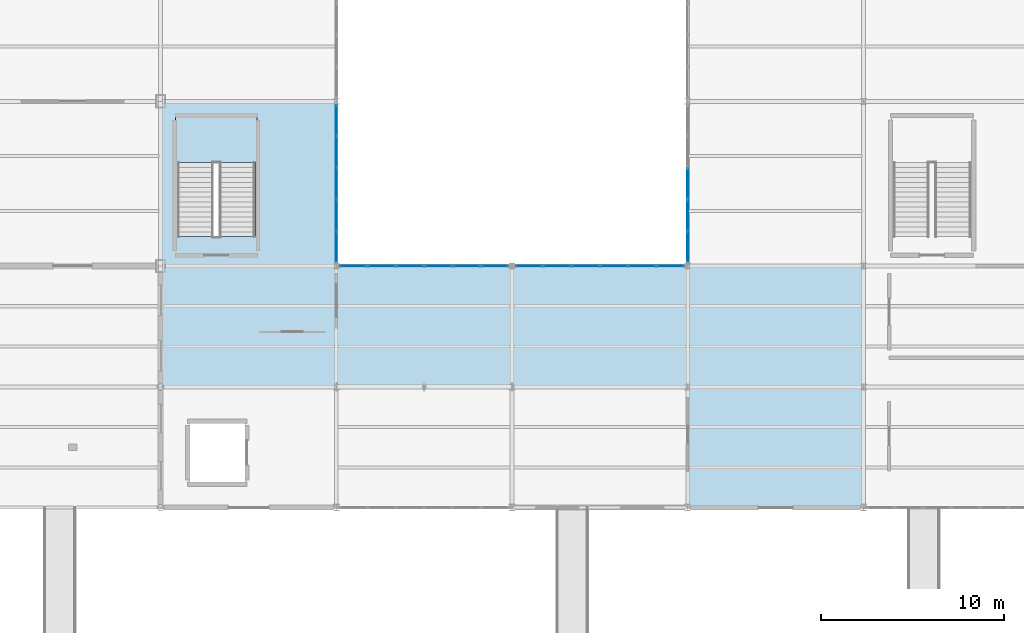
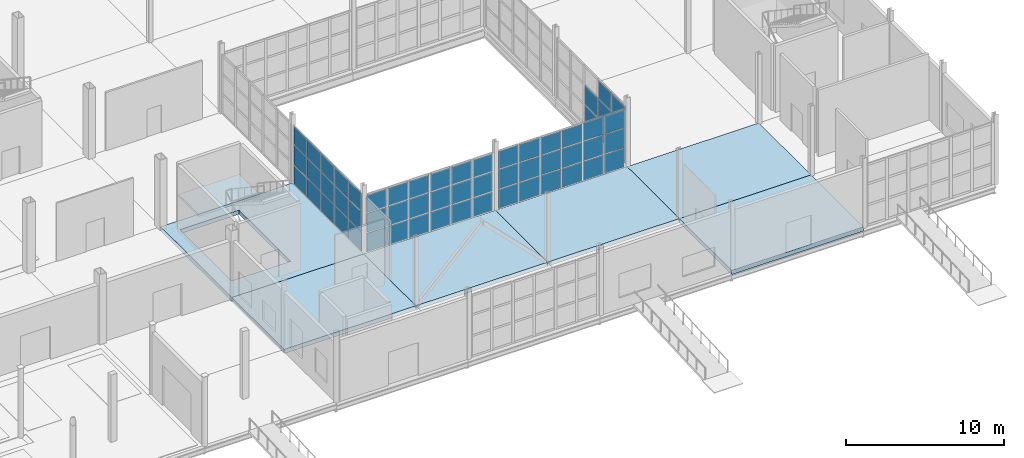
# One storey, part 51 of 85: 59 plates, 7 slabs, 5 elements without a shape of their own.
"""IFC4 building model written with IfcOpenShell, lengths in metres."""

from ifc_helpers import new_model, si_unit, direction, frame, origin, origin_2d, place, context, subcontext, project, spatial, polyline, rectangle, outline, extrude, material, layer, layer_set, type_object, element, aggregate, save


model = new_model("IFC4")

# Units and contexts
model_context = context("Model", 3, precision=1e-05, world=origin(), true_north=direction((0.0, 1.0)))
body_context = subcontext(model_context, "Body", "Model", "MODEL_VIEW")
ifc_project = project(units=[si_unit("LENGTHUNIT", "METRE"), si_unit("AREAUNIT", "SQUARE_METRE"), si_unit("VOLUMEUNIT", "CUBIC_METRE"), si_unit("PLANEANGLEUNIT", "RADIAN"), si_unit("MASSUNIT", "GRAM", prefix="KILO")], contexts=[model_context])

# Site, building, storey
site_placement = place(None, origin())
site = spatial("IfcSite", under=ifc_project, at=site_placement, CompositionType="ELEMENT")
building_placement = place(site_placement, origin())
building = spatial("IfcBuilding", under=site, at=building_placement, Name="Zarnetskaya Central Station", CompositionType="ELEMENT")
storey_placement = place(building_placement, origin())
storey = spatial("IfcBuildingStorey", under=building, at=storey_placement, Name="L00", CompositionType="ELEMENT", Elevation=0.0)

# Curtain wall, plates
ifc_material_1 = material(Name="Low-E insulated glass", Category="glass")
ifc_layer_1 = layer(ifc_material_1, 0.172119140625, Name="Low-E insulated glass", Category="glass")
ifc_layer_set_1 = layer_set([ifc_layer_1], Name="Low-E insulated glass")
curtain_wall_type = type_object("IfcCurtainWallType", Name="CW-SYS-04", PredefinedType="USERDEFINED", material=ifc_layer_set_1)
curtain_wall_1_placement = place(storey_placement, origin())
curtain_wall_1 = element("IfcCurtainWall", 1, at=curtain_wall_1_placement, inside=storey, type_object=curtain_wall_type, Name="Curtain wall CW-L00-102", ObjectType="CURTAIN WALL", PredefinedType="USERDEFINED")
ifc_layer_2 = layer(ifc_material_1, 0.035888671875, Name="Low-E insulated glass", Category="glass")
ifc_layer_set_2 = layer_set([ifc_layer_2], Name="Low-E insulated glass")
plate_type_1 = type_object("IfcPlateType", Name="CW-PAN-36", PredefinedType="CURTAIN_PANEL", material=ifc_layer_set_2)
plate_1_placement = place(storey_placement, frame((135.344970703125, 13.199951171875, 0.080078125), z_axis=(0.0, 0.0, 1.0), x_axis=(1.0, 0.0, 0.0)))
plate_1 = element("IfcPlate", 2, at=plate_1_placement, type_object=plate_type_1, Name="CW-15 panel 1.1", PredefinedType="CURTAIN_PANEL", context=body_context, shape_type="SweptSolid", body=[
    extrude(rectangle(XDim=1.429931640625, YDim=0.035888671875, at=origin_2d()), origin(), (0.0, 0.0, 1.0), 1.4169921875),
])
plate_2_placement = place(storey_placement, frame((135.344970703125, 13.199951171875, 1.576904296875), z_axis=(0.0, 0.0, 1.0), x_axis=(1.0, 0.0, 0.0)))
plate_2 = element("IfcPlate", 3, at=plate_2_placement, type_object=plate_type_1, Name="CW-15 panel 1.2", PredefinedType="CURTAIN_PANEL", context=body_context, shape_type="SweptSolid", body=[
    extrude(rectangle(XDim=1.429931640625, YDim=0.035888671875, at=origin_2d()), origin(), (0.0, 0.0, 1.0), 1.45703125),
])
plate_3_placement = place(storey_placement, frame((135.344970703125, 13.199951171875, 3.1142578125), z_axis=(0.0, 0.0, 1.0), x_axis=(1.0, 0.0, 0.0)))
plate_3 = element("IfcPlate", 4, at=plate_3_placement, type_object=plate_type_1, Name="CW-15 panel 1.3", PredefinedType="CURTAIN_PANEL", context=body_context, shape_type="SweptSolid", body=[
    extrude(rectangle(XDim=1.429931640625, YDim=0.035888671875, at=origin_2d()), origin(), (0.0, 0.0, 1.0), 1.325927734375),
])
plate_4_placement = place(storey_placement, frame((136.875, 13.199951171875, 0.080078125), z_axis=(0.0, 0.0, 1.0), x_axis=(1.0, 0.0, 0.0)))
plate_4 = element("IfcPlate", 5, at=plate_4_placement, type_object=plate_type_1, Name="CW-15 panel 2.1", PredefinedType="CURTAIN_PANEL", context=body_context, shape_type="SweptSolid", body=[
    extrude(rectangle(XDim=1.469970703125, YDim=0.035888671875, at=origin_2d()), origin(), (0.0, 0.0, 1.0), 1.4169921875),
])
plate_5_placement = place(storey_placement, frame((136.875, 13.199951171875, 1.576904296875), z_axis=(0.0, 0.0, 1.0), x_axis=(1.0, 0.0, 0.0)))
plate_5 = element("IfcPlate", 6, at=plate_5_placement, type_object=plate_type_1, Name="CW-15 panel 2.2", PredefinedType="CURTAIN_PANEL", context=body_context, shape_type="SweptSolid", body=[
    extrude(rectangle(XDim=1.469970703125, YDim=0.035888671875, at=origin_2d()), origin(), (0.0, 0.0, 1.0), 1.45703125),
])
plate_6_placement = place(storey_placement, frame((136.875, 13.199951171875, 3.1142578125), z_axis=(0.0, 0.0, 1.0), x_axis=(1.0, 0.0, 0.0)))
plate_6 = element("IfcPlate", 7, at=plate_6_placement, type_object=plate_type_1, Name="CW-15 panel 2.3", PredefinedType="CURTAIN_PANEL", context=body_context, shape_type="SweptSolid", body=[
    extrude(rectangle(XDim=1.469970703125, YDim=0.035888671875, at=origin_2d()), origin(), (0.0, 0.0, 1.0), 1.325927734375),
])
plate_7_placement = place(storey_placement, frame((138.425048828125, 13.199951171875, 0.080078125), z_axis=(0.0, 0.0, 1.0), x_axis=(1.0, 0.0, 0.0)))
plate_7 = element("IfcPlate", 8, at=plate_7_placement, type_object=plate_type_1, Name="CW-15 panel 3.1", PredefinedType="CURTAIN_PANEL", context=body_context, shape_type="SweptSolid", body=[
    extrude(rectangle(XDim=1.469970703125, YDim=0.035888671875, at=origin_2d()), origin(), (0.0, 0.0, 1.0), 1.4169921875),
])
plate_8_placement = place(storey_placement, frame((138.425048828125, 13.199951171875, 1.576904296875), z_axis=(0.0, 0.0, 1.0), x_axis=(1.0, 0.0, 0.0)))
plate_8 = element("IfcPlate", 9, at=plate_8_placement, type_object=plate_type_1, Name="CW-15 panel 3.2", PredefinedType="CURTAIN_PANEL", context=body_context, shape_type="SweptSolid", body=[
    extrude(rectangle(XDim=1.469970703125, YDim=0.035888671875, at=origin_2d()), origin(), (0.0, 0.0, 1.0), 1.45703125),
])
plate_9_placement = place(storey_placement, frame((138.425048828125, 13.199951171875, 3.1142578125), z_axis=(0.0, 0.0, 1.0), x_axis=(1.0, 0.0, 0.0)))
plate_9 = element("IfcPlate", 10, at=plate_9_placement, type_object=plate_type_1, Name="CW-15 panel 3.3", PredefinedType="CURTAIN_PANEL", context=body_context, shape_type="SweptSolid", body=[
    extrude(rectangle(XDim=1.469970703125, YDim=0.035888671875, at=origin_2d()), origin(), (0.0, 0.0, 1.0), 1.325927734375),
])
plate_10_placement = place(storey_placement, frame((139.97509765625, 13.199951171875, 0.080078125), z_axis=(0.0, 0.0, 1.0), x_axis=(1.0, 0.0, 0.0)))
plate_10 = element("IfcPlate", 11, at=plate_10_placement, type_object=plate_type_1, Name="CW-15 panel 4.1", PredefinedType="CURTAIN_PANEL", context=body_context, shape_type="SweptSolid", body=[
    extrude(rectangle(XDim=1.469970703125, YDim=0.035888671875, at=origin_2d()), origin(), (0.0, 0.0, 1.0), 1.4169921875),
])
plate_11_placement = place(storey_placement, frame((139.97509765625, 13.199951171875, 1.576904296875), z_axis=(0.0, 0.0, 1.0), x_axis=(1.0, 0.0, 0.0)))
plate_11 = element("IfcPlate", 12, at=plate_11_placement, type_object=plate_type_1, Name="CW-15 panel 4.2", PredefinedType="CURTAIN_PANEL", context=body_context, shape_type="SweptSolid", body=[
    extrude(rectangle(XDim=1.469970703125, YDim=0.035888671875, at=origin_2d()), origin(), (0.0, 0.0, 1.0), 1.45703125),
])
plate_12_placement = place(storey_placement, frame((139.97509765625, 13.199951171875, 3.1142578125), z_axis=(0.0, 0.0, 1.0), x_axis=(1.0, 0.0, 0.0)))
plate_12 = element("IfcPlate", 13, at=plate_12_placement, type_object=plate_type_1, Name="CW-15 panel 4.3", PredefinedType="CURTAIN_PANEL", context=body_context, shape_type="SweptSolid", body=[
    extrude(rectangle(XDim=1.469970703125, YDim=0.035888671875, at=origin_2d()), origin(), (0.0, 0.0, 1.0), 1.325927734375),
])
plate_13_placement = place(storey_placement, frame((141.52490234375, 13.199951171875, 0.080078125), z_axis=(0.0, 0.0, 1.0), x_axis=(1.0, 0.0, 0.0)))
plate_13 = element("IfcPlate", 14, at=plate_13_placement, type_object=plate_type_1, Name="CW-15 panel 5.1", PredefinedType="CURTAIN_PANEL", context=body_context, shape_type="SweptSolid", body=[
    extrude(rectangle(XDim=1.469970703125, YDim=0.035888671875, at=origin_2d()), origin(), (0.0, 0.0, 1.0), 1.4169921875),
])
plate_14_placement = place(storey_placement, frame((141.52490234375, 13.199951171875, 1.576904296875), z_axis=(0.0, 0.0, 1.0), x_axis=(1.0, 0.0, 0.0)))
plate_14 = element("IfcPlate", 15, at=plate_14_placement, type_object=plate_type_1, Name="CW-15 panel 5.2", PredefinedType="CURTAIN_PANEL", context=body_context, shape_type="SweptSolid", body=[
    extrude(rectangle(XDim=1.469970703125, YDim=0.035888671875, at=origin_2d()), origin(), (0.0, 0.0, 1.0), 1.45703125),
])
plate_15_placement = place(storey_placement, frame((141.52490234375, 13.199951171875, 3.1142578125), z_axis=(0.0, 0.0, 1.0), x_axis=(1.0, 0.0, 0.0)))
plate_15 = element("IfcPlate", 16, at=plate_15_placement, type_object=plate_type_1, Name="CW-15 panel 5.3", PredefinedType="CURTAIN_PANEL", context=body_context, shape_type="SweptSolid", body=[
    extrude(rectangle(XDim=1.469970703125, YDim=0.035888671875, at=origin_2d()), origin(), (0.0, 0.0, 1.0), 1.325927734375),
])
plate_16_placement = place(storey_placement, frame((143.054931640625, 13.199951171875, 0.080078125), z_axis=(0.0, 0.0, 1.0), x_axis=(1.0, 0.0, 0.0)))
plate_16 = element("IfcPlate", 17, at=plate_16_placement, type_object=plate_type_1, Name="CW-15 panel 6.1", PredefinedType="CURTAIN_PANEL", context=body_context, shape_type="SweptSolid", body=[
    extrude(rectangle(XDim=1.429931640625, YDim=0.035888671875, at=origin_2d()), origin(), (0.0, 0.0, 1.0), 1.4169921875),
])
plate_17_placement = place(storey_placement, frame((143.054931640625, 13.199951171875, 1.576904296875), z_axis=(0.0, 0.0, 1.0), x_axis=(1.0, 0.0, 0.0)))
plate_17 = element("IfcPlate", 18, at=plate_17_placement, type_object=plate_type_1, Name="CW-15 panel 6.2", PredefinedType="CURTAIN_PANEL", context=body_context, shape_type="SweptSolid", body=[
    extrude(rectangle(XDim=1.429931640625, YDim=0.035888671875, at=origin_2d()), origin(), (0.0, 0.0, 1.0), 1.45703125),
])
plate_18_placement = place(storey_placement, frame((143.054931640625, 13.199951171875, 3.1142578125), z_axis=(0.0, 0.0, 1.0), x_axis=(1.0, 0.0, 0.0)))
plate_18 = element("IfcPlate", 19, at=plate_18_placement, type_object=plate_type_1, Name="CW-15 panel 6.3", PredefinedType="CURTAIN_PANEL", context=body_context, shape_type="SweptSolid", body=[
    extrude(rectangle(XDim=1.429931640625, YDim=0.035888671875, at=origin_2d()), origin(), (0.0, 0.0, 1.0), 1.325927734375),
])
aggregate(curtain_wall_1, [plate_1, plate_2, plate_3, plate_4, plate_5, plate_6, plate_7, plate_8, plate_9, plate_10, plate_11, plate_12, plate_13, plate_14, plate_15, plate_16, plate_17, plate_18])

curtain_wall_2_placement = place(storey_placement, origin())
curtain_wall_2 = element("IfcCurtainWall", 20, at=curtain_wall_2_placement, inside=storey, type_object=curtain_wall_type, Name="Curtain wall CW-L00-103", ObjectType="CURTAIN WALL", PredefinedType="USERDEFINED")
ifc_layer_3 = layer(ifc_material_1, 0.0400390625, Name="Low-E insulated glass", Category="glass")
ifc_layer_set_3 = layer_set([ifc_layer_3], Name="Low-E insulated glass")
plate_type_2 = type_object("IfcPlateType", Name="CW-PAN-40", PredefinedType="CURTAIN_PANEL", material=ifc_layer_set_3)
plate_19_placement = place(storey_placement, frame((144.9423828125, 13.199951171875, 0.06982421875), z_axis=(0.0, 0.0, 1.0), x_axis=(1.0, 0.0, 0.0)))
plate_19 = element("IfcPlate", 21, at=plate_19_placement, type_object=plate_type_2, Name="CW-15 panel 1.1", PredefinedType="CURTAIN_PANEL", context=body_context, shape_type="SweptSolid", body=[
    extrude(rectangle(XDim=1.445068359375, YDim=0.0400390625, at=origin_2d()), origin(), (0.0, 0.0, 1.0), 1.431884765625),
])
plate_20_placement = place(storey_placement, frame((144.9423828125, 13.199951171875, 1.57177734375), z_axis=(0.0, 0.0, 1.0), x_axis=(1.0, 0.0, 0.0)))
plate_20 = element("IfcPlate", 22, at=plate_20_placement, type_object=plate_type_2, Name="CW-15 panel 1.2", PredefinedType="CURTAIN_PANEL", context=body_context, shape_type="SweptSolid", body=[
    extrude(rectangle(XDim=1.445068359375, YDim=0.0400390625, at=origin_2d()), origin(), (0.0, 0.0, 1.0), 1.467041015625),
])
plate_21_placement = place(storey_placement, frame((144.9423828125, 13.199951171875, 3.10888671875), z_axis=(0.0, 0.0, 1.0), x_axis=(1.0, 0.0, 0.0)))
plate_21 = element("IfcPlate", 23, at=plate_21_placement, type_object=plate_type_2, Name="CW-15 panel 1.3", PredefinedType="CURTAIN_PANEL", context=body_context, shape_type="SweptSolid", body=[
    extrude(rectangle(XDim=1.445068359375, YDim=0.0400390625, at=origin_2d()), origin(), (0.0, 0.0, 1.0), 1.341064453125),
])
plate_22_placement = place(storey_placement, frame((146.47509765625, 13.199951171875, 0.06982421875), z_axis=(0.0, 0.0, 1.0), x_axis=(1.0, 0.0, 0.0)))
plate_22 = element("IfcPlate", 24, at=plate_22_placement, type_object=plate_type_2, Name="CW-15 panel 2.1", PredefinedType="CURTAIN_PANEL", context=body_context, shape_type="SweptSolid", body=[
    extrude(rectangle(XDim=1.47998046875, YDim=0.0400390625, at=origin_2d()), origin(), (0.0, 0.0, 1.0), 1.431884765625),
])
plate_23_placement = place(storey_placement, frame((146.47509765625, 13.199951171875, 1.57177734375), z_axis=(0.0, 0.0, 1.0), x_axis=(1.0, 0.0, 0.0)))
plate_23 = element("IfcPlate", 25, at=plate_23_placement, type_object=plate_type_2, Name="CW-15 panel 2.2", PredefinedType="CURTAIN_PANEL", context=body_context, shape_type="SweptSolid", body=[
    extrude(rectangle(XDim=1.47998046875, YDim=0.0400390625, at=origin_2d()), origin(), (0.0, 0.0, 1.0), 1.467041015625),
])
plate_24_placement = place(storey_placement, frame((146.47509765625, 13.199951171875, 3.10888671875), z_axis=(0.0, 0.0, 1.0), x_axis=(1.0, 0.0, 0.0)))
plate_24 = element("IfcPlate", 26, at=plate_24_placement, type_object=plate_type_2, Name="CW-15 panel 2.3", PredefinedType="CURTAIN_PANEL", context=body_context, shape_type="SweptSolid", body=[
    extrude(rectangle(XDim=1.47998046875, YDim=0.0400390625, at=origin_2d()), origin(), (0.0, 0.0, 1.0), 1.341064453125),
])
plate_25_placement = place(storey_placement, frame((148.02490234375, 13.199951171875, 0.06982421875), z_axis=(0.0, 0.0, 1.0), x_axis=(1.0, 0.0, 0.0)))
plate_25 = element("IfcPlate", 27, at=plate_25_placement, type_object=plate_type_2, Name="CW-15 panel 3.1", PredefinedType="CURTAIN_PANEL", context=body_context, shape_type="SweptSolid", body=[
    extrude(rectangle(XDim=1.47998046875, YDim=0.0400390625, at=origin_2d()), origin(), (0.0, 0.0, 1.0), 1.431884765625),
])
plate_26_placement = place(storey_placement, frame((148.02490234375, 13.199951171875, 1.57177734375), z_axis=(0.0, 0.0, 1.0), x_axis=(1.0, 0.0, 0.0)))
plate_26 = element("IfcPlate", 28, at=plate_26_placement, type_object=plate_type_2, Name="CW-15 panel 3.2", PredefinedType="CURTAIN_PANEL", context=body_context, shape_type="SweptSolid", body=[
    extrude(rectangle(XDim=1.47998046875, YDim=0.0400390625, at=origin_2d()), origin(), (0.0, 0.0, 1.0), 1.467041015625),
])
plate_27_placement = place(storey_placement, frame((148.02490234375, 13.199951171875, 3.10888671875), z_axis=(0.0, 0.0, 1.0), x_axis=(1.0, 0.0, 0.0)))
plate_27 = element("IfcPlate", 29, at=plate_27_placement, type_object=plate_type_2, Name="CW-15 panel 3.3", PredefinedType="CURTAIN_PANEL", context=body_context, shape_type="SweptSolid", body=[
    extrude(rectangle(XDim=1.47998046875, YDim=0.0400390625, at=origin_2d()), origin(), (0.0, 0.0, 1.0), 1.341064453125),
])
plate_28_placement = place(storey_placement, frame((149.574951171875, 13.199951171875, 0.06982421875), z_axis=(0.0, 0.0, 1.0), x_axis=(1.0, 0.0, 0.0)))
plate_28 = element("IfcPlate", 30, at=plate_28_placement, type_object=plate_type_2, Name="CW-15 panel 4.1", PredefinedType="CURTAIN_PANEL", context=body_context, shape_type="SweptSolid", body=[
    extrude(rectangle(XDim=1.47998046875, YDim=0.0400390625, at=origin_2d()), origin(), (0.0, 0.0, 1.0), 1.431884765625),
])
plate_29_placement = place(storey_placement, frame((149.574951171875, 13.199951171875, 1.57177734375), z_axis=(0.0, 0.0, 1.0), x_axis=(1.0, 0.0, 0.0)))
plate_29 = element("IfcPlate", 31, at=plate_29_placement, type_object=plate_type_2, Name="CW-15 panel 4.2", PredefinedType="CURTAIN_PANEL", context=body_context, shape_type="SweptSolid", body=[
    extrude(rectangle(XDim=1.47998046875, YDim=0.0400390625, at=origin_2d()), origin(), (0.0, 0.0, 1.0), 1.467041015625),
])
plate_30_placement = place(storey_placement, frame((149.574951171875, 13.199951171875, 3.10888671875), z_axis=(0.0, 0.0, 1.0), x_axis=(1.0, 0.0, 0.0)))
plate_30 = element("IfcPlate", 32, at=plate_30_placement, type_object=plate_type_2, Name="CW-15 panel 4.3", PredefinedType="CURTAIN_PANEL", context=body_context, shape_type="SweptSolid", body=[
    extrude(rectangle(XDim=1.47998046875, YDim=0.0400390625, at=origin_2d()), origin(), (0.0, 0.0, 1.0), 1.341064453125),
])
plate_31_placement = place(storey_placement, frame((151.125, 13.199951171875, 0.06982421875), z_axis=(0.0, 0.0, 1.0), x_axis=(1.0, 0.0, 0.0)))
plate_31 = element("IfcPlate", 33, at=plate_31_placement, type_object=plate_type_2, Name="CW-15 panel 5.1", PredefinedType="CURTAIN_PANEL", context=body_context, shape_type="SweptSolid", body=[
    extrude(rectangle(XDim=1.47998046875, YDim=0.0400390625, at=origin_2d()), origin(), (0.0, 0.0, 1.0), 1.431884765625),
])
plate_32_placement = place(storey_placement, frame((151.125, 13.199951171875, 1.57177734375), z_axis=(0.0, 0.0, 1.0), x_axis=(1.0, 0.0, 0.0)))
plate_32 = element("IfcPlate", 34, at=plate_32_placement, type_object=plate_type_2, Name="CW-15 panel 5.2", PredefinedType="CURTAIN_PANEL", context=body_context, shape_type="SweptSolid", body=[
    extrude(rectangle(XDim=1.47998046875, YDim=0.0400390625, at=origin_2d()), origin(), (0.0, 0.0, 1.0), 1.467041015625),
])
plate_33_placement = place(storey_placement, frame((151.125, 13.199951171875, 3.10888671875), z_axis=(0.0, 0.0, 1.0), x_axis=(1.0, 0.0, 0.0)))
plate_33 = element("IfcPlate", 35, at=plate_33_placement, type_object=plate_type_2, Name="CW-15 panel 5.3", PredefinedType="CURTAIN_PANEL", context=body_context, shape_type="SweptSolid", body=[
    extrude(rectangle(XDim=1.47998046875, YDim=0.0400390625, at=origin_2d()), origin(), (0.0, 0.0, 1.0), 1.341064453125),
])
plate_34_placement = place(storey_placement, frame((152.657470703125, 13.199951171875, 0.06982421875), z_axis=(0.0, 0.0, 1.0), x_axis=(1.0, 0.0, 0.0)))
plate_34 = element("IfcPlate", 36, at=plate_34_placement, type_object=plate_type_2, Name="CW-15 panel 6.1", PredefinedType="CURTAIN_PANEL", context=body_context, shape_type="SweptSolid", body=[
    extrude(rectangle(XDim=1.445068359375, YDim=0.0400390625, at=origin_2d()), origin(), (0.0, 0.0, 1.0), 1.431884765625),
])
plate_35_placement = place(storey_placement, frame((152.657470703125, 13.199951171875, 1.57177734375), z_axis=(0.0, 0.0, 1.0), x_axis=(1.0, 0.0, 0.0)))
plate_35 = element("IfcPlate", 37, at=plate_35_placement, type_object=plate_type_2, Name="CW-15 panel 6.2", PredefinedType="CURTAIN_PANEL", context=body_context, shape_type="SweptSolid", body=[
    extrude(rectangle(XDim=1.445068359375, YDim=0.0400390625, at=origin_2d()), origin(), (0.0, 0.0, 1.0), 1.467041015625),
])
plate_36_placement = place(storey_placement, frame((152.657470703125, 13.199951171875, 3.10888671875), z_axis=(0.0, 0.0, 1.0), x_axis=(1.0, 0.0, 0.0)))
plate_36 = element("IfcPlate", 38, at=plate_36_placement, type_object=plate_type_2, Name="CW-15 panel 6.3", PredefinedType="CURTAIN_PANEL", context=body_context, shape_type="SweptSolid", body=[
    extrude(rectangle(XDim=1.445068359375, YDim=0.0400390625, at=origin_2d()), origin(), (0.0, 0.0, 1.0), 1.341064453125),
])
aggregate(curtain_wall_2, [plate_19, plate_20, plate_21, plate_22, plate_23, plate_24, plate_25, plate_26, plate_27, plate_28, plate_29, plate_30, plate_31, plate_32, plate_33, plate_34, plate_35, plate_36])

curtain_wall_3_placement = place(storey_placement, origin())
curtain_wall_3 = element("IfcCurtainWall", 39, at=curtain_wall_3_placement, inside=storey, type_object=curtain_wall_type, Name="Curtain wall CW-L00-104", ObjectType="CURTAIN WALL", PredefinedType="USERDEFINED")
ifc_layer_4 = layer(ifc_material_1, 0.0439453125, Name="Low-E insulated glass", Category="glass")
ifc_layer_set_4 = layer_set([ifc_layer_4], Name="Low-E insulated glass")
plate_type_3 = type_object("IfcPlateType", Name="CW-PAN-44", PredefinedType="CURTAIN_PANEL", material=ifc_layer_set_4)
plate_37_placement = place(storey_placement, frame((153.60009765625, 14.239990234375, 0.080078125), z_axis=(0.0, 0.0, 1.0), x_axis=(0.0, 1.0, 0.0)))
plate_37 = element("IfcPlate", 40, at=plate_37_placement, type_object=plate_type_3, Name="CW-15 panel 1.1", PredefinedType="CURTAIN_PANEL", context=body_context, shape_type="SweptSolid", body=[
    extrude(rectangle(XDim=1.6201171875, YDim=0.0439453125, at=origin_2d()), origin(), (0.0, 0.0, 1.0), 1.43408203125),
])
plate_38_placement = place(storey_placement, frame((153.60009765625, 14.239990234375, 1.593994140625), z_axis=(0.0, 0.0, 1.0), x_axis=(0.0, 1.0, 0.0)))
plate_38 = element("IfcPlate", 41, at=plate_38_placement, type_object=plate_type_3, Name="CW-15 panel 1.2", PredefinedType="CURTAIN_PANEL", context=body_context, shape_type="SweptSolid", body=[
    extrude(rectangle(XDim=1.6201171875, YDim=0.0439453125, at=origin_2d()), origin(), (0.0, 0.0, 1.0), 1.47412109375),
])
plate_39_placement = place(storey_placement, frame((153.60009765625, 14.239990234375, 3.14794921875), z_axis=(0.0, 0.0, 1.0), x_axis=(0.0, 1.0, 0.0)))
plate_39 = element("IfcPlate", 42, at=plate_39_placement, type_object=plate_type_3, Name="CW-15 panel 1.3", PredefinedType="CURTAIN_PANEL", context=body_context, shape_type="SweptSolid", body=[
    extrude(rectangle(XDim=1.6201171875, YDim=0.0439453125, at=origin_2d()), origin(), (0.0, 0.0, 1.0), 1.342041015625),
])
plate_40_placement = place(storey_placement, frame((153.60009765625, 15.9599609375, 0.080078125), z_axis=(0.0, 0.0, 1.0), x_axis=(0.0, 1.0, 0.0)))
plate_40 = element("IfcPlate", 43, at=plate_40_placement, type_object=plate_type_3, Name="CW-15 panel 2.1", PredefinedType="CURTAIN_PANEL", context=body_context, shape_type="SweptSolid", body=[
    extrude(rectangle(XDim=1.659912109375, YDim=0.0439453125, at=origin_2d()), origin(), (0.0, 0.0, 1.0), 1.43408203125),
])
plate_41_placement = place(storey_placement, frame((153.60009765625, 15.9599609375, 1.593994140625), z_axis=(0.0, 0.0, 1.0), x_axis=(0.0, 1.0, 0.0)))
plate_41 = element("IfcPlate", 44, at=plate_41_placement, type_object=plate_type_3, Name="CW-15 panel 2.2", PredefinedType="CURTAIN_PANEL", context=body_context, shape_type="SweptSolid", body=[
    extrude(rectangle(XDim=1.659912109375, YDim=0.0439453125, at=origin_2d()), origin(), (0.0, 0.0, 1.0), 1.47412109375),
])
plate_42_placement = place(storey_placement, frame((153.60009765625, 15.9599609375, 3.14794921875), z_axis=(0.0, 0.0, 1.0), x_axis=(0.0, 1.0, 0.0)))
plate_42 = element("IfcPlate", 45, at=plate_42_placement, type_object=plate_type_3, Name="CW-15 panel 2.3", PredefinedType="CURTAIN_PANEL", context=body_context, shape_type="SweptSolid", body=[
    extrude(rectangle(XDim=1.659912109375, YDim=0.0439453125, at=origin_2d()), origin(), (0.0, 0.0, 1.0), 1.342041015625),
])
plate_43_placement = place(storey_placement, frame((153.60009765625, 17.699951171875, 0.080078125), z_axis=(0.0, 0.0, 1.0), x_axis=(0.0, 1.0, 0.0)))
plate_43 = element("IfcPlate", 46, at=plate_43_placement, type_object=plate_type_3, Name="CW-15 panel 3.1", PredefinedType="CURTAIN_PANEL", context=body_context, shape_type="SweptSolid", body=[
    extrude(rectangle(XDim=1.659912109375, YDim=0.0439453125, at=origin_2d()), origin(), (0.0, 0.0, 1.0), 1.43408203125),
])
plate_44_placement = place(storey_placement, frame((153.60009765625, 17.699951171875, 1.593994140625), z_axis=(0.0, 0.0, 1.0), x_axis=(0.0, 1.0, 0.0)))
plate_44 = element("IfcPlate", 47, at=plate_44_placement, type_object=plate_type_3, Name="CW-15 panel 3.2", PredefinedType="CURTAIN_PANEL", context=body_context, shape_type="SweptSolid", body=[
    extrude(rectangle(XDim=1.659912109375, YDim=0.0439453125, at=origin_2d()), origin(), (0.0, 0.0, 1.0), 1.47412109375),
])
aggregate(curtain_wall_3, [plate_37, plate_38, plate_39, plate_40, plate_41, plate_42, plate_43, plate_44])

curtain_wall_4_placement = place(storey_placement, origin())
curtain_wall_4 = element("IfcCurtainWall", 48, at=curtain_wall_4_placement, inside=storey, type_object=curtain_wall_type, Name="Curtain wall CW-L00-109", ObjectType="CURTAIN WALL", PredefinedType="USERDEFINED")
plate_45_placement = place(storey_placement, frame((134.39990234375, 21.16259765625, 0.06982421875), z_axis=(0.0, 0.0, 1.0), x_axis=(0.0, -1.0, 0.0)))
plate_45 = element("IfcPlate", 49, at=plate_45_placement, type_object=plate_type_3, Name="CW-15 panel 1.1", PredefinedType="CURTAIN_PANEL", context=body_context, shape_type="SweptSolid", body=[
    extrude(rectangle(XDim=1.635009765625, YDim=0.0439453125, at=origin_2d()), origin(), (0.0, 0.0, 1.0), 1.448974609375),
])
plate_46_placement = place(storey_placement, frame((134.39990234375, 21.16259765625, 1.589111328125), z_axis=(0.0, 0.0, 1.0), x_axis=(0.0, -1.0, 0.0)))
plate_46 = element("IfcPlate", 50, at=plate_46_placement, type_object=plate_type_3, Name="CW-15 panel 1.2", PredefinedType="CURTAIN_PANEL", context=body_context, shape_type="SweptSolid", body=[
    extrude(rectangle(XDim=1.635009765625, YDim=0.0439453125, at=origin_2d()), origin(), (0.0, 0.0, 1.0), 1.48388671875),
])
plate_47_placement = place(storey_placement, frame((134.39990234375, 21.16259765625, 3.14306640625), z_axis=(0.0, 0.0, 1.0), x_axis=(0.0, -1.0, 0.0)))
plate_47 = element("IfcPlate", 51, at=plate_47_placement, type_object=plate_type_3, Name="CW-15 panel 1.3", PredefinedType="CURTAIN_PANEL", context=body_context, shape_type="SweptSolid", body=[
    extrude(rectangle(XDim=1.635009765625, YDim=0.0439453125, at=origin_2d()), origin(), (0.0, 0.0, 1.0), 1.35693359375),
])
plate_48_placement = place(storey_placement, frame((134.39990234375, 19.43994140625, 0.06982421875), z_axis=(0.0, 0.0, 1.0), x_axis=(0.0, -1.0, 0.0)))
plate_48 = element("IfcPlate", 52, at=plate_48_placement, type_object=plate_type_3, Name="CW-15 panel 2.1", PredefinedType="CURTAIN_PANEL", context=body_context, shape_type="SweptSolid", body=[
    extrude(rectangle(XDim=1.669921875, YDim=0.0439453125, at=origin_2d()), origin(), (0.0, 0.0, 1.0), 1.448974609375),
])
plate_49_placement = place(storey_placement, frame((134.39990234375, 19.43994140625, 1.589111328125), z_axis=(0.0, 0.0, 1.0), x_axis=(0.0, -1.0, 0.0)))
plate_49 = element("IfcPlate", 53, at=plate_49_placement, type_object=plate_type_3, Name="CW-15 panel 2.2", PredefinedType="CURTAIN_PANEL", context=body_context, shape_type="SweptSolid", body=[
    extrude(rectangle(XDim=1.669921875, YDim=0.0439453125, at=origin_2d()), origin(), (0.0, 0.0, 1.0), 1.48388671875),
])
plate_50_placement = place(storey_placement, frame((134.39990234375, 19.43994140625, 3.14306640625), z_axis=(0.0, 0.0, 1.0), x_axis=(0.0, -1.0, 0.0)))
plate_50 = element("IfcPlate", 54, at=plate_50_placement, type_object=plate_type_3, Name="CW-15 panel 2.3", PredefinedType="CURTAIN_PANEL", context=body_context, shape_type="SweptSolid", body=[
    extrude(rectangle(XDim=1.669921875, YDim=0.0439453125, at=origin_2d()), origin(), (0.0, 0.0, 1.0), 1.35693359375),
])
plate_51_placement = place(storey_placement, frame((134.39990234375, 17.699951171875, 0.06982421875), z_axis=(0.0, 0.0, 1.0), x_axis=(0.0, -1.0, 0.0)))
plate_51 = element("IfcPlate", 55, at=plate_51_placement, type_object=plate_type_3, Name="CW-15 panel 3.1", PredefinedType="CURTAIN_PANEL", context=body_context, shape_type="SweptSolid", body=[
    extrude(rectangle(XDim=1.669921875, YDim=0.0439453125, at=origin_2d()), origin(), (0.0, 0.0, 1.0), 1.448974609375),
])
plate_52_placement = place(storey_placement, frame((134.39990234375, 17.699951171875, 1.589111328125), z_axis=(0.0, 0.0, 1.0), x_axis=(0.0, -1.0, 0.0)))
plate_52 = element("IfcPlate", 56, at=plate_52_placement, type_object=plate_type_3, Name="CW-15 panel 3.2", PredefinedType="CURTAIN_PANEL", context=body_context, shape_type="SweptSolid", body=[
    extrude(rectangle(XDim=1.669921875, YDim=0.0439453125, at=origin_2d()), origin(), (0.0, 0.0, 1.0), 1.48388671875),
])
plate_53_placement = place(storey_placement, frame((134.39990234375, 17.699951171875, 3.14306640625), z_axis=(0.0, 0.0, 1.0), x_axis=(0.0, -1.0, 0.0)))
plate_53 = element("IfcPlate", 57, at=plate_53_placement, type_object=plate_type_3, Name="CW-15 panel 3.3", PredefinedType="CURTAIN_PANEL", context=body_context, shape_type="SweptSolid", body=[
    extrude(rectangle(XDim=1.669921875, YDim=0.0439453125, at=origin_2d()), origin(), (0.0, 0.0, 1.0), 1.35693359375),
])
plate_54_placement = place(storey_placement, frame((134.39990234375, 15.9599609375, 0.06982421875), z_axis=(0.0, 0.0, 1.0), x_axis=(0.0, -1.0, 0.0)))
plate_54 = element("IfcPlate", 58, at=plate_54_placement, type_object=plate_type_3, Name="CW-15 panel 4.1", PredefinedType="CURTAIN_PANEL", context=body_context, shape_type="SweptSolid", body=[
    extrude(rectangle(XDim=1.669921875, YDim=0.0439453125, at=origin_2d()), origin(), (0.0, 0.0, 1.0), 1.448974609375),
])
plate_55_placement = place(storey_placement, frame((134.39990234375, 15.9599609375, 1.589111328125), z_axis=(0.0, 0.0, 1.0), x_axis=(0.0, -1.0, 0.0)))
plate_55 = element("IfcPlate", 59, at=plate_55_placement, type_object=plate_type_3, Name="CW-15 panel 4.2", PredefinedType="CURTAIN_PANEL", context=body_context, shape_type="SweptSolid", body=[
    extrude(rectangle(XDim=1.669921875, YDim=0.0439453125, at=origin_2d()), origin(), (0.0, 0.0, 1.0), 1.48388671875),
])
plate_56_placement = place(storey_placement, frame((134.39990234375, 15.9599609375, 3.14306640625), z_axis=(0.0, 0.0, 1.0), x_axis=(0.0, -1.0, 0.0)))
plate_56 = element("IfcPlate", 60, at=plate_56_placement, type_object=plate_type_3, Name="CW-15 panel 4.3", PredefinedType="CURTAIN_PANEL", context=body_context, shape_type="SweptSolid", body=[
    extrude(rectangle(XDim=1.669921875, YDim=0.0439453125, at=origin_2d()), origin(), (0.0, 0.0, 1.0), 1.35693359375),
])
plate_57_placement = place(storey_placement, frame((134.39990234375, 14.237548828125, 0.06982421875), z_axis=(0.0, 0.0, 1.0), x_axis=(0.0, -1.0, 0.0)))
plate_57 = element("IfcPlate", 61, at=plate_57_placement, type_object=plate_type_3, Name="CW-15 panel 5.1", PredefinedType="CURTAIN_PANEL", context=body_context, shape_type="SweptSolid", body=[
    extrude(rectangle(XDim=1.635009765625, YDim=0.0439453125, at=origin_2d()), origin(), (0.0, 0.0, 1.0), 1.448974609375),
])
plate_58_placement = place(storey_placement, frame((134.39990234375, 14.237548828125, 1.589111328125), z_axis=(0.0, 0.0, 1.0), x_axis=(0.0, -1.0, 0.0)))
plate_58 = element("IfcPlate", 62, at=plate_58_placement, type_object=plate_type_3, Name="CW-15 panel 5.2", PredefinedType="CURTAIN_PANEL", context=body_context, shape_type="SweptSolid", body=[
    extrude(rectangle(XDim=1.635009765625, YDim=0.0439453125, at=origin_2d()), origin(), (0.0, 0.0, 1.0), 1.48388671875),
])
plate_59_placement = place(storey_placement, frame((134.39990234375, 14.237548828125, 3.14306640625), z_axis=(0.0, 0.0, 1.0), x_axis=(0.0, -1.0, 0.0)))
plate_59 = element("IfcPlate", 63, at=plate_59_placement, type_object=plate_type_3, Name="CW-15 panel 5.3", PredefinedType="CURTAIN_PANEL", context=body_context, shape_type="SweptSolid", body=[
    extrude(rectangle(XDim=1.635009765625, YDim=0.0439453125, at=origin_2d()), origin(), (0.0, 0.0, 1.0), 1.35693359375),
])
aggregate(curtain_wall_4, [plate_45, plate_46, plate_47, plate_48, plate_49, plate_50, plate_51, plate_52, plate_53, plate_54, plate_55, plate_56, plate_57, plate_58, plate_59])

# Slabs
ifc_material_2 = material(Name="Concrete C30/37", Category="concrete")
ifc_layer_5 = layer(ifc_material_2, 0.320068359375, Name="Concrete C30/37", Category="concrete")
ifc_layer_set_5 = layer_set([ifc_layer_5], Name="Concrete C30/37")
slab_type_1 = type_object("IfcSlabType", Name="SLAB-L00-320", PredefinedType="FLOOR", material=ifc_layer_set_5)
slab_1_placement = place(storey_placement, frame((0.0, 0.0, -0.320068359375)))
element("IfcSlab", 64, at=slab_1_placement, inside=storey, type_object=slab_type_1, Name="L00 slab P-Q/2-3", PredefinedType="FLOOR", context=body_context, shape_type="SweptSolid", body=[
    extrude(outline(polyline([(124.800048828125, 6.60009765625), (134.39990234375, 6.60009765625), (134.39990234375, 13.199951171875), (124.800048828125, 13.199951171875), (124.800048828125, 6.60009765625)])), origin(), (0.0, 0.0, 1.0), 0.320068359375),
])
slab_2_placement = place(storey_placement, frame((0.0, 0.0, -0.320068359375)))
element("IfcSlab", 65, at=slab_2_placement, inside=storey, type_object=slab_type_1, Name="L00 slab P-Q/3-4", PredefinedType="FLOOR", context=body_context, shape_type="SweptSolid", body=[
    extrude(outline(polyline([(124.800048828125, 13.199951171875), (134.39990234375, 13.199951171875), (134.39990234375, 22.199951171875), (124.800048828125, 22.199951171875), (124.800048828125, 13.199951171875)]), holes=[polyline([(125.699951171875, 14.804931640625), (130.0, 14.804931640625), (130.0, 21.300048828125), (125.699951171875, 21.300048828125), (125.699951171875, 14.804931640625)])]), origin(), (0.0, 0.0, 1.0), 0.320068359375),
])
slab_3_placement = place(storey_placement, frame((0.0, 0.0, -0.320068359375)))
element("IfcSlab", 66, at=slab_3_placement, inside=storey, type_object=slab_type_1, Name="L00 slab Q-R/2-3", PredefinedType="FLOOR", context=body_context, shape_type="SweptSolid", body=[
    extrude(outline(polyline([(134.39990234375, 6.60009765625), (144.0, 6.60009765625), (144.0, 13.199951171875), (134.39990234375, 13.199951171875), (134.39990234375, 6.60009765625)])), origin(), (0.0, 0.0, 1.0), 0.320068359375),
])
slab_4_placement = place(storey_placement, frame((0.0, 0.0, -0.320068359375)))
element("IfcSlab", 67, at=slab_4_placement, inside=storey, type_object=slab_type_1, Name="L00 slab R-S/2-3", PredefinedType="FLOOR", context=body_context, shape_type="SweptSolid", body=[
    extrude(outline(polyline([(144.0, 6.60009765625), (153.60009765625, 6.60009765625), (153.60009765625, 13.199951171875), (144.0, 13.199951171875), (144.0, 6.60009765625)])), origin(), (0.0, 0.0, 1.0), 0.320068359375),
])
slab_5_placement = place(storey_placement, frame((0.0, 0.0, -0.320068359375)))
element("IfcSlab", 68, at=slab_5_placement, inside=storey, type_object=slab_type_1, Name="L00 slab S-T/1-2", PredefinedType="FLOOR", context=body_context, shape_type="SweptSolid", body=[
    extrude(outline(polyline([(153.60009765625, 0.0), (163.199951171875, 0.0), (163.199951171875, 6.60009765625), (153.60009765625, 6.60009765625), (153.60009765625, 0.0)])), origin(), (0.0, 0.0, 1.0), 0.320068359375),
])
slab_6_placement = place(storey_placement, frame((0.0, 0.0, -0.320068359375)))
element("IfcSlab", 69, at=slab_6_placement, inside=storey, type_object=slab_type_1, Name="L00 slab S-T/2-3", PredefinedType="FLOOR", context=body_context, shape_type="SweptSolid", body=[
    extrude(outline(polyline([(153.60009765625, 6.60009765625), (163.199951171875, 6.60009765625), (163.199951171875, 13.199951171875), (153.60009765625, 13.199951171875), (153.60009765625, 6.60009765625)])), origin(), (0.0, 0.0, 1.0), 0.320068359375),
])

# Stair, slab
stair_type = type_object("IfcStairType", Name="STAIR-ASSY-05", PredefinedType="HALF_TURN_STAIR", material=ifc_material_2)
stair_placement = place(storey_placement, origin())
stair = element("IfcStair", 70, at=stair_placement, inside=storey, type_object=stair_type, Name="Exit Stair ST-V1 L00", PredefinedType="HALF_TURN_STAIR")
ifc_layer_6 = layer(ifc_material_2, 0.18505859375, Name="Concrete C30/37", Category="concrete")
ifc_layer_set_6 = layer_set([ifc_layer_6], Name="Concrete C30/37")
slab_type_2 = type_object("IfcSlabType", Name="SLAB-STAIR-LND", PredefinedType="LANDING", material=ifc_layer_set_6)
slab_7_placement = place(storey_placement, frame((0.0, 0.0, 2.514892578125)))
slab_7 = element("IfcSlab", 71, at=slab_7_placement, type_object=slab_type_2, Name="ST-06 landing 1", PredefinedType="LANDING", context=body_context, shape_type="SweptSolid", body=[
    extrude(outline(polyline([(125.6201171875, 18.844970703125), (130.080078125, 18.844970703125), (130.080078125, 21.3798828125), (125.6201171875, 21.3798828125), (125.6201171875, 18.844970703125)])), origin(), (0.0, 0.0, 1.0), 0.18505859375),
])
aggregate(stair, [slab_7])

save(model, "model.ifc")
